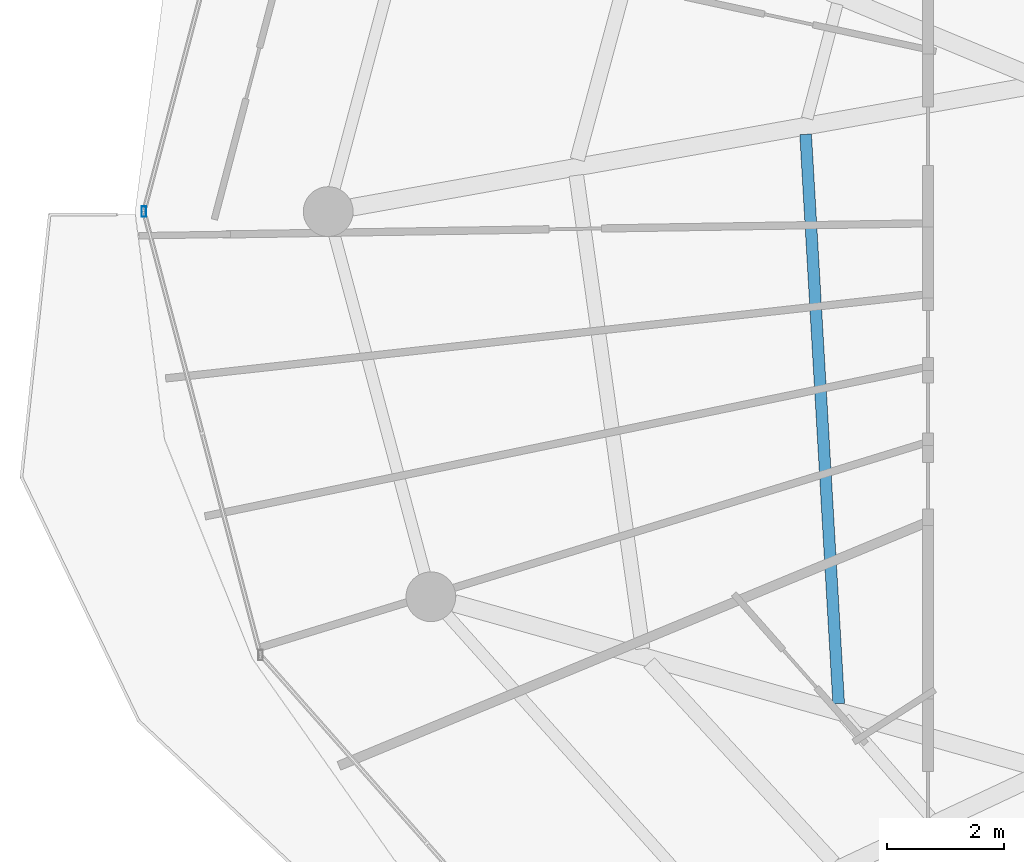
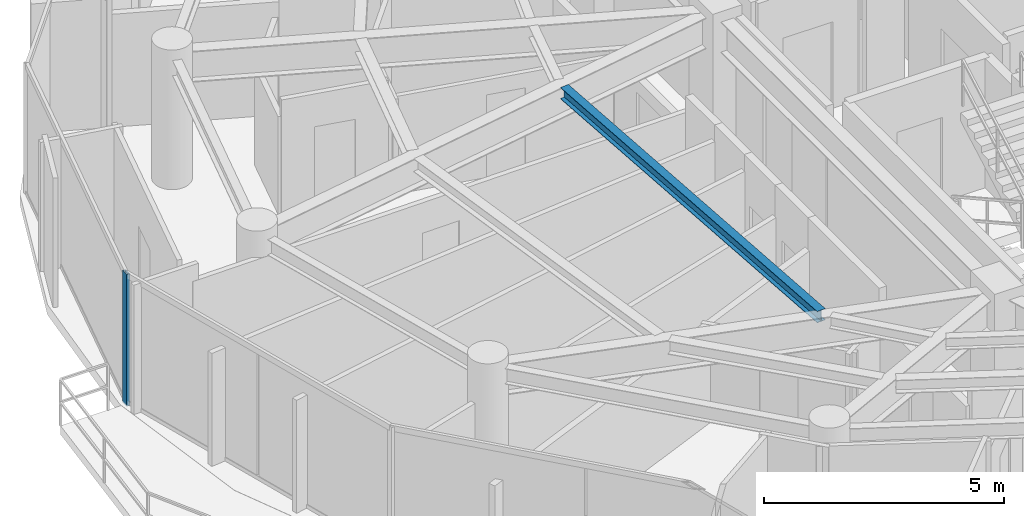
# One storey, part 7 of 32: 1 beam, 1 member, 1 element without a shape of its own.
"""IFC4 building model written with IfcOpenShell, lengths in metres."""

import ifcopenshell
import ifcopenshell.guid

model = None  # the IFC model being written
_history = None  # IfcOwnerHistory: only IFC2X3 demands one
_inside = {}  # id of a spatial element -> (the spatial element, [elements in it])
_under = {}  # id of a project, library or spatial element -> (it, [spatial elements below it])
_declared = {}  # id of a project -> (the project, [libraries it declares])
_typed = {}  # id of a type object -> (the type object, [elements of that type])
_made_of = {}  # id of a material, layer set ... -> (it, [elements and type objects made of it])


def new_model(schema):
    """Start an empty IFC model of exactly this schema.

    Asked for "IFC4X3", IfcOpenShell would pick the latest addendum, in which some entities
    have other attributes; the version numbers below select the first issue.
    IFC2X3 requires an IfcOwnerHistory on every rooted entity: one is made here for all.
    """
    global model, _history
    if schema == "IFC4X3":
        model = ifcopenshell.file(schema_version=(4, 3, 0, 0))
    else:
        model = ifcopenshell.file(schema=schema)
    _inside.clear()
    _under.clear()
    _declared.clear()
    _typed.clear()
    _made_of.clear()
    _history = None
    if model.schema == "IFC2X3":
        org = make("IfcOrganization", Name="unknown")
        user = make(
            "IfcPersonAndOrganization",
            ThePerson=make("IfcPerson", FamilyName="unknown"),
            TheOrganization=org,
        )
        app = make(
            "IfcApplication",
            ApplicationDeveloper=org,
            Version="unknown",
            ApplicationFullName="unknown",
            ApplicationIdentifier="unknown",
        )
        _history = make(
            "IfcOwnerHistory",
            OwningUser=user,
            OwningApplication=app,
            ChangeAction="ADDED",
            CreationDate=0,
        )
    return model


def make(cls, **values):
    """One entity of the class cls with the attributes given. An attribute that is None is left unset."""
    return model.create_entity(
        cls, **{name: value for name, value in values.items() if value is not None}
    )


def rooted(cls, **values):
    """An entity with a GlobalId (a new one), such as an element, a storey or a relation."""
    return make(cls, GlobalId=ifcopenshell.guid.new(), OwnerHistory=_history, **values)


def si_unit(unit_type, name, prefix=None):
    """IfcSIUnit, for example si_unit("LENGTHUNIT", "METRE", prefix="MILLI")."""
    return make("IfcSIUnit", UnitType=unit_type, Prefix=prefix, Name=name)


def assignment(units):
    """IfcUnitAssignment: the units of a project."""
    return None if units is None else make("IfcUnitAssignment", Units=units)


def point(xyz):
    """IfcCartesianPoint."""
    return None if xyz is None else make("IfcCartesianPoint", Coordinates=xyz)


def direction(xyz):
    """IfcDirection."""
    return None if xyz is None else make("IfcDirection", DirectionRatios=xyz)


def frame(location, z_axis=None, x_axis=None):
    """IfcAxis2Placement3D, a coordinate frame: its origin and axes. An axis left out is left unset."""
    return make(
        "IfcAxis2Placement3D",
        Location=point(location),
        Axis=direction(z_axis),
        RefDirection=direction(x_axis),
    )


def frame_2d(location, x_axis=None):
    """IfcAxis2Placement2D, a coordinate frame in the plane: its origin and x axis."""
    return make(
        "IfcAxis2Placement2D", Location=point(location), RefDirection=direction(x_axis)
    )


def origin():
    """The frame at (0, 0, 0) with its axes left unset."""
    return frame((0.0, 0.0, 0.0))


def origin_2d():
    """The frame at (0, 0) in the plane with its x axis left unset."""
    return frame_2d((0.0, 0.0))


def place(relative_to, where):
    """IfcLocalPlacement: puts the frame where relative to a parent placement (None: the world)."""
    return make(
        "IfcLocalPlacement", PlacementRelTo=relative_to, RelativePlacement=where
    )


def context(
    kind, dimensions, precision=None, world=None, true_north=None, identifier=None
):
    """IfcGeometricRepresentationContext, for example the 3D "Model" context."""
    return make(
        "IfcGeometricRepresentationContext",
        ContextIdentifier=identifier,
        ContextType=kind,
        CoordinateSpaceDimension=dimensions,
        Precision=precision,
        WorldCoordinateSystem=world,
        TrueNorth=true_north,
    )


def subcontext(parent, identifier, kind, view, scale=None):
    """IfcGeometricRepresentationSubContext, for example "Body" below "Model"."""
    return make(
        "IfcGeometricRepresentationSubContext",
        ContextIdentifier=identifier,
        ContextType=kind,
        ParentContext=parent,
        TargetScale=scale,
        TargetView=view,
    )


def project(units=None, contexts=None):
    """IfcProject with its units and contexts."""
    return rooted(
        "IfcProject",
        Name="project",
        RepresentationContexts=contexts,
        UnitsInContext=assignment(units),
    )


def spatial(cls, under=None, at=None, **own):
    """A site, building, storey or space (cls), placed at a placement, below another one or the project."""
    s = rooted(cls, ObjectPlacement=at, **own)
    if under is not None:
        _under.setdefault(under.id(), (under, []))[1].append(s)
    return s


def profile(cls, at=None, kind="AREA", **sizes):
    """A parametric profile (cls). Its sizes go by their IFC names, for example OverallWidth=200.0."""
    return make(cls, ProfileType=kind, Position=at, **sizes)


def hollow_rectangle(**sizes):
    """IfcRectangleHollowProfileDef."""
    return profile("IfcRectangleHollowProfileDef", **sizes)


def i_section(**sizes):
    """IfcIShapeProfileDef."""
    return profile("IfcIShapeProfileDef", **sizes)


def extrude(swept, where, along, depth):
    """IfcExtrudedAreaSolid: the profile swept, set in the frame where, extruded along a direction by depth."""
    return make(
        "IfcExtrudedAreaSolid",
        SweptArea=swept,
        Position=where,
        ExtrudedDirection=direction(along),
        Depth=depth,
    )


def shape(context_of_items, identifier, shape_type, items):
    """IfcShapeRepresentation: the items that make up one representation, for example the "Body"."""
    return make(
        "IfcShapeRepresentation",
        ContextOfItems=context_of_items,
        RepresentationIdentifier=identifier,
        RepresentationType=shape_type,
        Items=items,
    )


def material(Name=None, Category=None):
    """IfcMaterial."""
    return make("IfcMaterial", Name=Name, Category=Category)


def material_profile(
    of_material, cross_section, Name=None, Category=None, Priority=None
):
    """IfcMaterialProfile: a cross section and its material."""
    return make(
        "IfcMaterialProfile",
        Name=Name,
        Material=of_material,
        Profile=cross_section,
        Priority=Priority,
        Category=Category,
    )


def profile_set(profiles, Name=None, composite=None):
    """IfcMaterialProfileSet."""
    return make(
        "IfcMaterialProfileSet",
        Name=Name,
        MaterialProfiles=profiles,
        CompositeProfile=composite,
    )


def made_of(thing, what):
    """Note that an element or type object is made of a material, layer set ...; save() writes the relation."""
    if what is not None:
        _made_of.setdefault(what.id(), (what, []))[1].append(thing)
    return thing


def type_object(cls, material=None, **own):
    """A type object (cls), such as IfcWallType, which elements share."""
    return made_of(rooted(cls, **own), material)


def element(
    cls,
    number,
    at=None,
    inside=None,
    cuts=None,
    type_object=None,
    material=None,
    context=None,
    identifier="Body",
    shape_type=None,
    held_by="IfcProductDefinitionShape",
    body=None,
    shapes=None,
    **own,
):
    """One element of the class cls, such as IfcWall. Its Tag is "e" and its number.

    at: its placement. inside: the storey or other place that contains it. cuts: it is an
    opening in that element (IfcRelVoidsElement). A single representation is given by context,
    identifier, shape_type and body (its items); several are given by shapes. held_by: the class
    of the entity that holds the representations. save() writes the other relations.
    """
    e = rooted(cls, Tag="e%d" % number, ObjectPlacement=at, **own)
    if body is not None:
        shapes = [shape(context, identifier, shape_type, body)]
    if shapes is not None:
        e.Representation = make(held_by, Representations=shapes)
    if inside is not None:
        _inside.setdefault(inside.id(), (inside, []))[1].append(e)
    if cuts is not None:
        rooted(
            "IfcRelVoidsElement", RelatingBuildingElement=cuts, RelatedOpeningElement=e
        )
    if type_object is not None:
        _typed.setdefault(type_object.id(), (type_object, []))[1].append(e)
    return made_of(e, material)


def aggregate(whole, parts):
    """IfcRelAggregates: a whole, such as a stair, and the parts it consists of."""
    return rooted("IfcRelAggregates", RelatingObject=whole, RelatedObjects=parts)


def save(model, path):
    """Write the relations noted so far, then the file.

    IfcRelAggregates (storeys below a building ...), IfcRelContainedInSpatialStructure (elements
    in a storey), IfcRelDefinesByType, IfcRelAssociatesMaterial and IfcRelDeclares: one each for
    every whole, place, type object, material and project.
    """
    for whole, parts in _under.values():
        aggregate(whole, parts)
    for where, things in _inside.values():
        rooted(
            "IfcRelContainedInSpatialStructure",
            RelatedElements=things,
            RelatingStructure=where,
        )
    for kind, things in _typed.values():
        rooted("IfcRelDefinesByType", RelatedObjects=things, RelatingType=kind)
    for what, things in _made_of.values():
        rooted("IfcRelAssociatesMaterial", RelatedObjects=things, RelatingMaterial=what)
    for by, libraries in _declared.values():
        rooted("IfcRelDeclares", RelatingContext=by, RelatedDefinitions=libraries)
    model.write(path)


model = new_model("IFC4")

# Units and contexts
model_context = context("Model", 3, precision=1e-05, world=origin(), true_north=direction((0.0, 1.0)))
body_context = subcontext(model_context, "Body", "Model", "MODEL_VIEW")
ifc_project = project(units=[si_unit("LENGTHUNIT", "METRE"), si_unit("AREAUNIT", "SQUARE_METRE"), si_unit("VOLUMEUNIT", "CUBIC_METRE"), si_unit("PLANEANGLEUNIT", "RADIAN"), si_unit("MASSUNIT", "GRAM", prefix="KILO")], contexts=[model_context])

# Site, building, storey
site_placement = place(None, origin())
site = spatial("IfcSite", under=ifc_project, at=site_placement, CompositionType="ELEMENT")
building_placement = place(site_placement, origin())
building = spatial("IfcBuilding", under=site, at=building_placement, Name="Vorneva Point Tower", CompositionType="ELEMENT")
storey_placement = place(building_placement, frame((0.0, 0.0, 269.75)))
storey = spatial("IfcBuildingStorey", under=building, at=storey_placement, Name="L73", CompositionType="ELEMENT", Elevation=269.75)

# Beam
ifc_material_1 = material(Name="Steel S355", Category="steel")
ifc_material_profile_1 = material_profile(ifc_material_1, i_section(OverallWidth=0.199951171875, OverallDepth=0.291015625, WebThickness=0.008056640625, FlangeThickness=0.010986328125, at=origin_2d()), Name="30Sh1")
ifc_profile_set_1 = profile_set([ifc_material_profile_1], Name="Steel S355")
beam_type = type_object("IfcBeamType", Name="BM-SEC-30Sh1", PredefinedType="BEAM", material=ifc_profile_set_1)
beam_placement = place(storey_placement, frame((23.10888671875, 27.320068359375, 3.14453125), z_axis=(0.057974452456, -0.998318066982, 0.0), x_axis=(0.998318066982, 0.057974452456, 0.0)))
element("IfcBeam", 1, at=beam_placement, inside=storey, type_object=beam_type, Name="L73 Secondary Floor Beam 2.09", PredefinedType="BEAM", context=body_context, shape_type="SweptSolid", body=[
    extrude(i_section(OverallWidth=0.199951171875, OverallDepth=0.291015625, WebThickness=0.008056640625, FlangeThickness=0.010986328125, at=origin_2d()), origin(), (0.0, 0.0, 1.0), 9.74462890625),
])

# Curtain wall, member
ifc_material_2 = material(Name="Pale anodised aluminium", Category="aluminium")
curtain_wall_type = type_object("IfcCurtainWallType", Name="CW-RES-SYS", PredefinedType="NOTDEFINED", material=ifc_material_2)
curtain_wall_placement = place(storey_placement, origin())
curtain_wall = element("IfcCurtainWall", 2, at=curtain_wall_placement, inside=storey, type_object=curtain_wall_type, Name="L73 Unitised Curtain Wall CW-L73-R03", PredefinedType="NOTDEFINED")
ifc_material_profile_2 = material_profile(ifc_material_2, hollow_rectangle(XDim=0.074951171875, YDim=0.179931640625, WallThickness=0.00390625, at=origin_2d()), Name="AL-MUL 180x75x4")
ifc_profile_set_2 = profile_set([ifc_material_profile_2], Name="Pale anodised aluminium")
member_type = type_object("IfcMemberType", Name="CW-MUL-180", PredefinedType="MULLION", material=ifc_profile_set_2)
member_placement = place(storey_placement, frame((11.800048828125, 26.0, -0.0400390625), z_axis=(0.0, 0.0, 1.0), x_axis=(1.0, 0.0, 0.0)))
member = element("IfcMember", 3, at=member_placement, type_object=member_type, Name="CW-L73-R03 Mullion 03", PredefinedType="MULLION", context=body_context, shape_type="SweptSolid", body=[
    extrude(hollow_rectangle(XDim=0.074951171875, YDim=0.179931640625, WallThickness=0.00390625, at=origin_2d()), origin(), (0.0, 0.0, 1.0), 3.360107421875),
])
aggregate(curtain_wall, [member])

save(model, "model.ifc")
